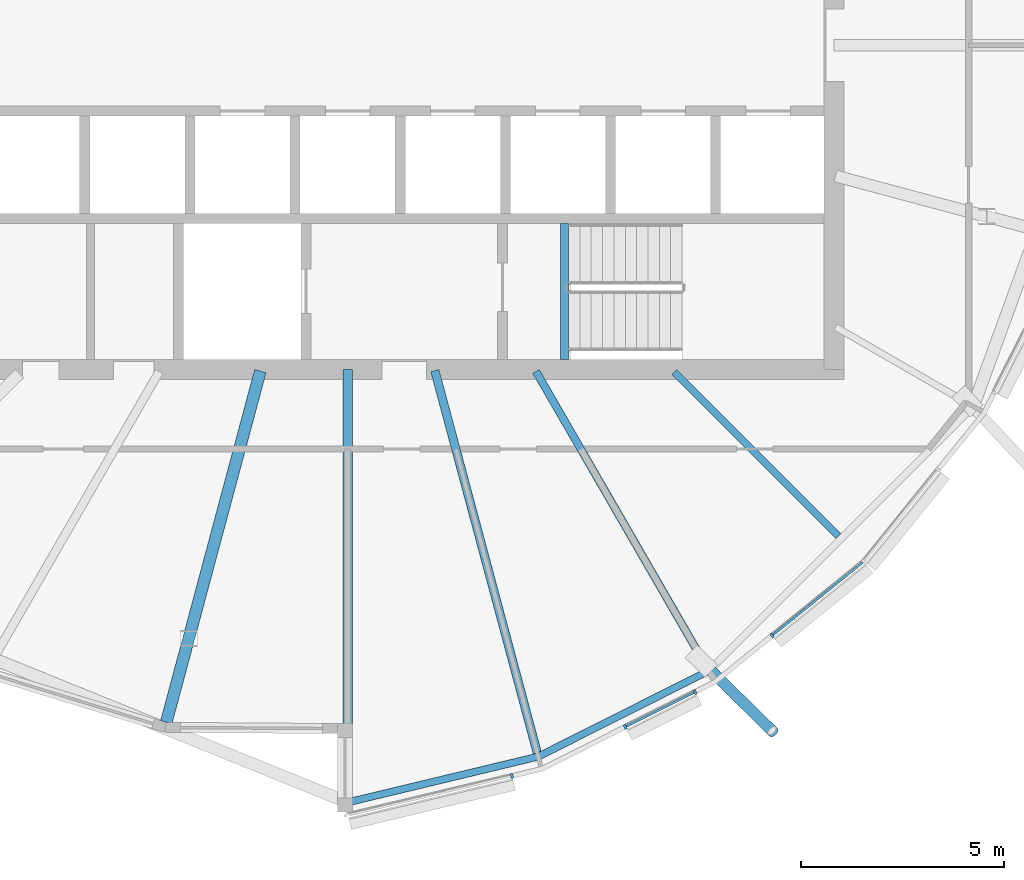
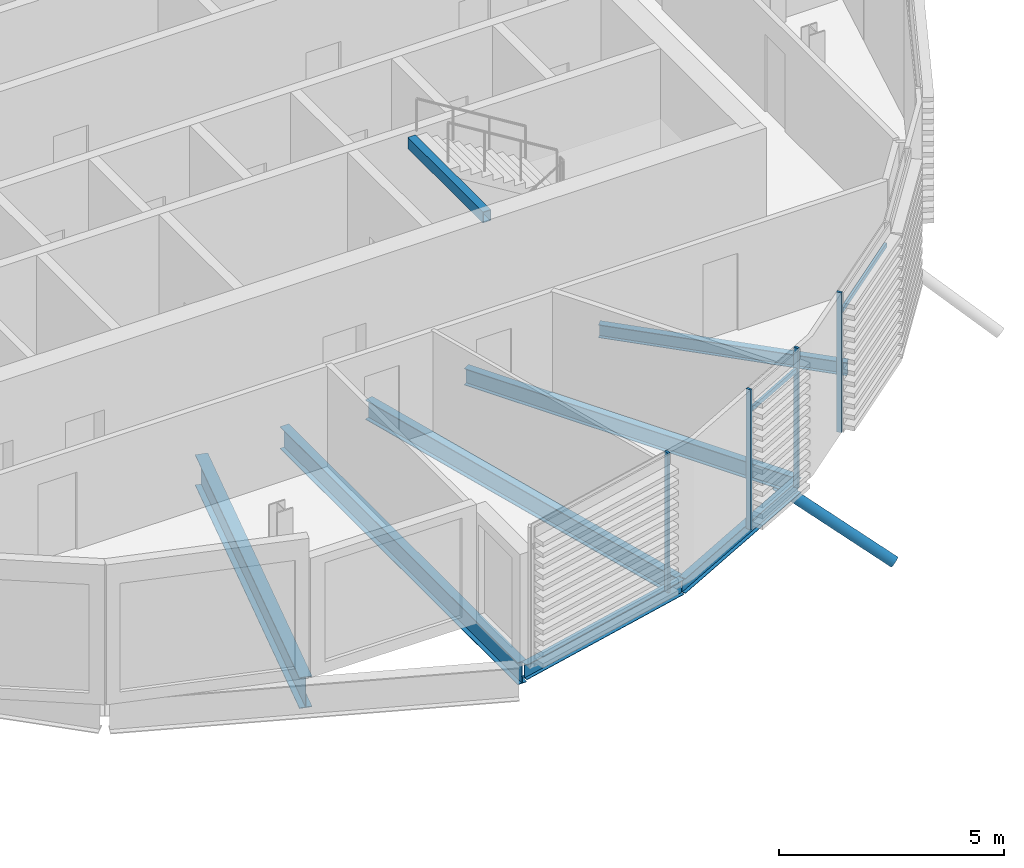
# One storey, part 10 of 36: 8 beams, 7 members, 1 element without a shape of its own.
"""IFC4 building model written with IfcOpenShell, lengths in metres."""

from ifc_helpers import new_model, si_unit, direction, frame, origin, origin_2d, place, context, subcontext, project, spatial, rectangle, hollow_rectangle, hollow_circle, i_section, extrude, clip, halfspace, material, material_profile, profile_set, type_object, element, aggregate, save


model = new_model("IFC4")

# Units and contexts
model_context = context("Model", 3, precision=1e-05, world=origin(), true_north=direction((0.0, 1.0)))
body_context = subcontext(model_context, "Body", "Model", "MODEL_VIEW")
ifc_project = project(units=[si_unit("LENGTHUNIT", "METRE"), si_unit("AREAUNIT", "SQUARE_METRE"), si_unit("VOLUMEUNIT", "CUBIC_METRE"), si_unit("PLANEANGLEUNIT", "RADIAN"), si_unit("MASSUNIT", "GRAM", prefix="KILO")], contexts=[model_context])

# Site, building, storey
site_placement = place(None, origin())
site = spatial("IfcSite", under=ifc_project, at=site_placement, CompositionType="ELEMENT")
building_placement = place(site_placement, origin())
building = spatial("IfcBuilding", under=site, at=building_placement, Name="Rimbun Link Towers", CompositionType="ELEMENT")
storey_placement = place(building_placement, frame((0.0, 0.0, 248.5)))
storey = spatial("IfcBuildingStorey", under=building, at=storey_placement, Name="L61", CompositionType="ELEMENT", Elevation=248.5)

# Curtain wall, members
ifc_material_1 = material(Name="Aluminium 6063-T6 and low-iron glass", Category="aluminium")
curtain_wall_type = type_object("IfcCurtainWallType", Name="CW1-Z4 unitised vision wall (zone 4)", PredefinedType="NOTDEFINED", material=ifc_material_1)
curtain_wall_placement = place(storey_placement, origin())
curtain_wall = element("IfcCurtainWall", 1, at=curtain_wall_placement, inside=storey, type_object=curtain_wall_type, Name="CW1 L61 T2", PredefinedType="NOTDEFINED")
ifc_material_2 = material(Name="Aluminium 6063-T6", Category="aluminium")
ifc_material_profile_1 = material_profile(ifc_material_2, rectangle(XDim=0.1201171875, YDim=0.06005859375, at=origin_2d()), Name="MULLION 60X120")
ifc_profile_set_1 = profile_set([ifc_material_profile_1], Name="Aluminium 6063-T6")
member_type_1 = type_object("IfcMemberType", Name="CW1 mullion 60X120", PredefinedType="MULLION", material=ifc_profile_set_1)
member_1_placement = place(storey_placement, frame((35.8037109375, -18.031494140625, 0.0), z_axis=(0.0, 0.0, 1.0), x_axis=(0.232604664363, -0.972571370192, 0.0)))
member_1 = element("IfcMember", 2, at=member_1_placement, type_object=member_type_1, Name="CW1 mullion", PredefinedType="MULLION", context=body_context, shape_type="SweptSolid", body=[
    extrude(rectangle(XDim=0.1201171875, YDim=0.06005859375, at=origin_2d()), origin(), (0.0, 0.0, 1.0), 3.800048828125),
])
member_2_placement = place(storey_placement, frame((40.32373046875, -15.955078125, 0.0), z_axis=(0.0, 0.0, 1.0), x_axis=(0.4487702901, -0.893647148893, 0.0)))
member_2 = element("IfcMember", 3, at=member_2_placement, type_object=member_type_1, Name="CW1 mullion", PredefinedType="MULLION", context=body_context, shape_type="SweptSolid", body=[
    extrude(rectangle(XDim=0.1201171875, YDim=0.06005859375, at=origin_2d()), origin(), (0.0, 0.0, 1.0), 3.800048828125),
])
member_3_placement = place(storey_placement, frame((38.601318359375, -16.820068359375, 0.0), z_axis=(0.0, 0.0, 1.0), x_axis=(0.4487702901, -0.893647148893, 0.0)))
member_3 = element("IfcMember", 4, at=member_3_placement, type_object=member_type_1, Name="CW1 mullion", PredefinedType="MULLION", context=body_context, shape_type="SweptSolid", body=[
    extrude(rectangle(XDim=0.1201171875, YDim=0.06005859375, at=origin_2d()), origin(), (0.0, 0.0, 1.0), 3.800048828125),
])
member_4_placement = place(storey_placement, frame((42.22509765625, -14.56884765625, 0.0), z_axis=(0.0, 0.0, 1.0), x_axis=(0.629159092045, -0.777276551105, 0.0)))
member_4 = element("IfcMember", 5, at=member_4_placement, type_object=member_type_1, Name="CW1 mullion", PredefinedType="MULLION", context=body_context, shape_type="SweptSolid", body=[
    extrude(rectangle(XDim=0.1201171875, YDim=0.06005859375, at=origin_2d()), origin(), (0.0, 0.0, 1.0), 3.800048828125),
])
ifc_material_3 = material(Name="Aluminium 6063-T6", Category="aluminium")
ifc_material_profile_2 = material_profile(ifc_material_3, rectangle(XDim=0.06005859375, YDim=0.1201171875, at=origin_2d()), Name="TRANSOM 60X120")
ifc_profile_set_2 = profile_set([ifc_material_profile_2], Name="Aluminium 6063-T6")
member_type_2 = type_object("IfcMemberType", Name="CW1 transom 60X120", PredefinedType="USERDEFINED", material=ifc_profile_set_2)
member_5_placement = place(storey_placement, frame((40.2958984375, -15.966796875, 3.199951171875), z_axis=(-0.89364123049, -0.448782075365, 0.0), x_axis=(0.448782075365, -0.89364123049, 0.0)))
member_5 = element("IfcMember", 6, at=member_5_placement, type_object=member_type_2, Name="CW1 transom", ObjectType="TRANSOM", PredefinedType="USERDEFINED", context=body_context, shape_type="SweptSolid", body=[
    extrude(rectangle(XDim=0.06005859375, YDim=0.1201171875, at=origin_2d()), origin(), (0.0, 0.0, 1.0), 1.866943359375),
])
member_6_placement = place(storey_placement, frame((44.4580078125, -12.7587890625, 3.199951171875), z_axis=(-0.777254865339, -0.629185882158, 0.0), x_axis=(0.629185882158, -0.777254865339, 0.0)))
member_6 = element("IfcMember", 7, at=member_6_placement, type_object=member_type_2, Name="CW1 transom", ObjectType="TRANSOM", PredefinedType="USERDEFINED", context=body_context, shape_type="SweptSolid", body=[
    extrude(rectangle(XDim=0.06005859375, YDim=0.1201171875, at=origin_2d()), origin(), (0.0, 0.0, 1.0), 2.84423828125),
])
aggregate(curtain_wall, [member_1, member_2, member_3, member_4, member_5, member_6])

# Member
ifc_material_4 = material(Name="Steel S355J2H", Category="steel")
ifc_material_profile_3 = material_profile(ifc_material_4, hollow_circle(Radius=0.136474609375, WallThickness=0.012451171875, at=origin_2d()), Name="CHS 273x12.5")
ifc_profile_set_3 = profile_set([ifc_material_profile_3], Name="Steel S355J2H")
member_type_3 = type_object("IfcMemberType", Name="Floor edge link CHS 273x12.5", PredefinedType="BRACE", material=ifc_profile_set_3)
member_7_placement = place(storey_placement, frame((40.591796875, -15.314208984375, -0.710205078125), z_axis=(0.612392501763, -0.601498380268, -0.513005967138), x_axis=(0.700732598913, 0.713424014749, 0.0)))
element("IfcMember", 8, at=member_7_placement, inside=storey, type_object=member_type_3, Name="Floor edge link T2 L61 17", PredefinedType="BRACE", context=body_context, shape_type="Clipping", body=[
    clip(extrude(hollow_circle(Radius=0.136474609375, WallThickness=0.012451171875, at=origin_2d()), frame((0.0, 0.0, -0.476318359375)), (0.0, 0.0, 1.0), 3.21044921875), halfspace(frame((0.0, 0.0, -0.223876953125), z_axis=(0.0, 0.858385040457, -0.513005967138)), False)),
])

# Beams
ifc_material_5 = material(Name="Steel S355J2", Category="steel")
ifc_material_profile_4 = material_profile(ifc_material_5, hollow_rectangle(XDim=0.199951171875, YDim=0.300048828125, WallThickness=0.011962890625, at=origin_2d()), Name="BOX 300x200x12")
ifc_profile_set_4 = profile_set([ifc_material_profile_4], Name="Steel S355J2")
beam_type_1 = type_object("IfcBeamType", Name="Stair trimmer beam BOX 300x200x12", PredefinedType="BEAM", material=ifc_profile_set_4)
beam_1_placement = place(storey_placement, frame((37.10009765625, -7.75, 3.510009765625), z_axis=(0.0, 1.0, 0.0), x_axis=(-1.0, 0.0, 0.0)))
element("IfcBeam", 9, at=beam_1_placement, inside=storey, type_object=beam_type_1, Name="L61 ST4 stair beam 1", PredefinedType="BEAM", context=body_context, shape_type="SweptSolid", body=[
    extrude(hollow_rectangle(XDim=0.199951171875, YDim=0.300048828125, WallThickness=0.011962890625, at=origin_2d()), origin(), (0.0, 0.0, 1.0), 3.35009765625),
])
ifc_material_6 = material(Name="Steel S355J2", Category="steel")
ifc_material_profile_5 = material_profile(ifc_material_6, i_section(OverallWidth=0.17138671875, OverallDepth=0.35498046875, WebThickness=0.00732421875, FlangeThickness=0.011474609375, at=origin_2d()), Name="UB 356x171x51")
ifc_profile_set_5 = profile_set([ifc_material_profile_5], Name="Steel S355J2")
beam_type_2 = type_object("IfcBeamType", Name="UB 356x171x51", PredefinedType="BEAM", material=ifc_profile_set_5)
beam_2_placement = place(storey_placement, frame((39.811279296875, -8.061279296875, -0.3173828125), z_axis=(0.707106781187, -0.707106781187, 0.0), x_axis=(0.707106781187, 0.707106781187, 0.0)))
element("IfcBeam", 10, at=beam_2_placement, inside=storey, type_object=beam_type_2, Name="Radial beam T2 L61 18", PredefinedType="BEAM", context=body_context, shape_type="SweptSolid", body=[
    extrude(i_section(OverallWidth=0.17138671875, OverallDepth=0.35498046875, WebThickness=0.00732421875, FlangeThickness=0.011474609375, at=origin_2d()), origin(), (0.0, 0.0, 1.0), 5.725830078125),
])
ifc_material_7 = material(Name="Steel S355J2", Category="steel")
ifc_material_profile_6 = material_profile(ifc_material_7, i_section(OverallWidth=0.177978515625, OverallDepth=0.406494140625, WebThickness=0.0078125, FlangeThickness=0.0126953125, at=origin_2d()), Name="UB 406x178x60")
ifc_profile_set_6 = profile_set([ifc_material_profile_6], Name="Steel S355J2")
beam_type_3 = type_object("IfcBeamType", Name="UB 406x178x60", PredefinedType="BEAM", material=ifc_profile_set_6)
beam_3_placement = place(storey_placement, frame((31.7509765625, -18.681884765625, -0.34326171875), z_axis=(0.972325258653, 0.233631315077, 0.0), x_axis=(-0.233631315077, 0.972325258653, 0.0)))
element("IfcBeam", 11, at=beam_3_placement, inside=storey, type_object=beam_type_3, Name="Edge beam T2 L61 15", PredefinedType="BEAM", context=body_context, shape_type="SweptSolid", body=[
    extrude(i_section(OverallWidth=0.177978515625, OverallDepth=0.406494140625, WebThickness=0.0078125, FlangeThickness=0.0126953125, at=origin_2d()), origin(), (0.0, 0.0, 1.0), 4.82470703125),
])
beam_4_placement = place(storey_placement, frame((36.463134765625, -17.546875, -0.34326171875), z_axis=(0.893406448702, 0.449249282045, 0.0), x_axis=(-0.449249282045, 0.893406448702, 0.0)))
element("IfcBeam", 12, at=beam_4_placement, inside=storey, type_object=beam_type_3, Name="Edge beam T2 L61 16", PredefinedType="BEAM", context=body_context, shape_type="SweptSolid", body=[
    extrude(i_section(OverallWidth=0.177978515625, OverallDepth=0.406494140625, WebThickness=0.0078125, FlangeThickness=0.0126953125, at=origin_2d()), origin(), (0.0, 0.0, 1.0), 4.698486328125),
])
ifc_material_8 = material(Name="Steel S355J2", Category="steel")
ifc_material_profile_7 = material_profile(ifc_material_8, i_section(OverallWidth=0.18994140625, OverallDepth=0.453369140625, WebThickness=0.008544921875, FlangeThickness=0.0126953125, at=origin_2d()), Name="UB 457x191x67")
ifc_profile_set_7 = profile_set([ifc_material_profile_7], Name="Steel S355J2")
beam_type_4 = type_object("IfcBeamType", Name="UB 457x191x67", PredefinedType="BEAM", material=ifc_profile_set_7)
beam_5_placement = place(storey_placement, frame((36.396728515625, -8.04833984375, -0.36669921875), z_axis=(0.500006240468, -0.866021800818, 0.0), x_axis=(0.866021800818, 0.500006240468, 0.0)))
element("IfcBeam", 13, at=beam_5_placement, inside=storey, type_object=beam_type_4, Name="Radial beam T2 L61 17", PredefinedType="BEAM", context=body_context, shape_type="SweptSolid", body=[
    extrude(i_section(OverallWidth=0.18994140625, OverallDepth=0.453369140625, WebThickness=0.008544921875, FlangeThickness=0.0126953125, at=origin_2d()), origin(), (0.0, 0.0, 1.0), 8.43994140625),
])
ifc_material_9 = material(Name="Steel S355J2", Category="steel")
ifc_material_profile_8 = material_profile(ifc_material_9, i_section(OverallWidth=0.209228515625, OverallDepth=0.533203125, WebThickness=0.010009765625, FlangeThickness=0.015625, at=origin_2d()), Name="UB 533x210x92")
ifc_profile_set_8 = profile_set([ifc_material_profile_8], Name="Steel S355J2")
beam_type_5 = type_object("IfcBeamType", Name="UB 533x210x92", PredefinedType="BEAM", material=ifc_profile_set_8)
beam_6_placement = place(storey_placement, frame((33.901123046875, -8.028076171875, -0.406494140625), z_axis=(0.258818109326, -0.965926077029, 0.0), x_axis=(0.965926077029, 0.258818109326, 0.0)))
element("IfcBeam", 14, at=beam_6_placement, inside=storey, type_object=beam_type_5, Name="Radial beam T2 L61 16", PredefinedType="BEAM", context=body_context, shape_type="SweptSolid", body=[
    extrude(i_section(OverallWidth=0.209228515625, OverallDepth=0.533203125, WebThickness=0.010009765625, FlangeThickness=0.015625, at=origin_2d()), origin(), (0.0, 0.0, 1.0), 9.769775390625),
])
ifc_material_10 = material(Name="Steel S355J2", Category="steel")
ifc_material_profile_9 = material_profile(ifc_material_10, i_section(OverallWidth=0.2275390625, OverallDepth=0.6025390625, WebThickness=0.010498046875, FlangeThickness=0.014892578125, at=origin_2d()), Name="UB 610x229x101")
ifc_profile_set_9 = profile_set([ifc_material_profile_9], Name="Steel S355J2")
beam_type_6 = type_object("IfcBeamType", Name="UB 610x229x101", PredefinedType="BEAM", material=ifc_profile_set_9)
beam_7_placement = place(storey_placement, frame((31.75, -8.0009765625, -0.44140625), z_axis=(0.0, -1.0, 0.0), x_axis=(1.0, 0.0, 0.0)))
element("IfcBeam", 15, at=beam_7_placement, inside=storey, type_object=beam_type_6, Name="Radial beam T2 L61 15", PredefinedType="BEAM", context=body_context, shape_type="SweptSolid", body=[
    extrude(i_section(OverallWidth=0.2275390625, OverallDepth=0.6025390625, WebThickness=0.010498046875, FlangeThickness=0.014892578125, at=origin_2d()), origin(), (0.0, 0.0, 1.0), 10.588623046875),
])
ifc_material_11 = material(Name="Steel S355J2", Category="steel")
ifc_material_profile_10 = material_profile(ifc_material_11, i_section(OverallWidth=0.29248046875, OverallDepth=0.8408203125, WebThickness=0.0126953125, FlangeThickness=0.021728515625, at=origin_2d()), Name="UB 838x292x194")
ifc_profile_set_10 = profile_set([ifc_material_profile_10], Name="Steel S355J2")
beam_type_7 = type_object("IfcBeamType", Name="UB 838x292x194", PredefinedType="BEAM", material=ifc_profile_set_10)
beam_8_placement = place(storey_placement, frame((29.595947265625, -8.038818359375, -0.560302734375), z_axis=(-0.258800937963, -0.965930677901, 0.0), x_axis=(0.965930677901, -0.258800937963, 0.0)))
element("IfcBeam", 16, at=beam_8_placement, inside=storey, type_object=beam_type_7, Name="Radial beam T2 L61 14", PredefinedType="BEAM", context=body_context, shape_type="SweptSolid", body=[
    extrude(i_section(OverallWidth=0.29248046875, OverallDepth=0.8408203125, WebThickness=0.0126953125, FlangeThickness=0.021728515625, at=origin_2d()), origin(), (0.0, 0.0, 1.0), 8.969482421875),
])

save(model, "model.ifc")
